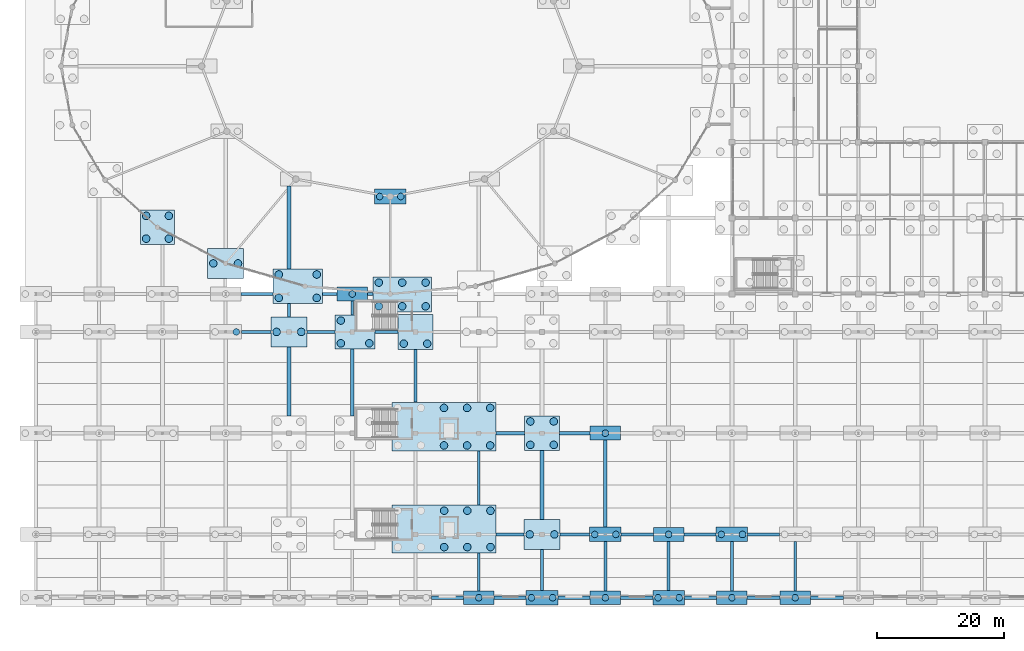
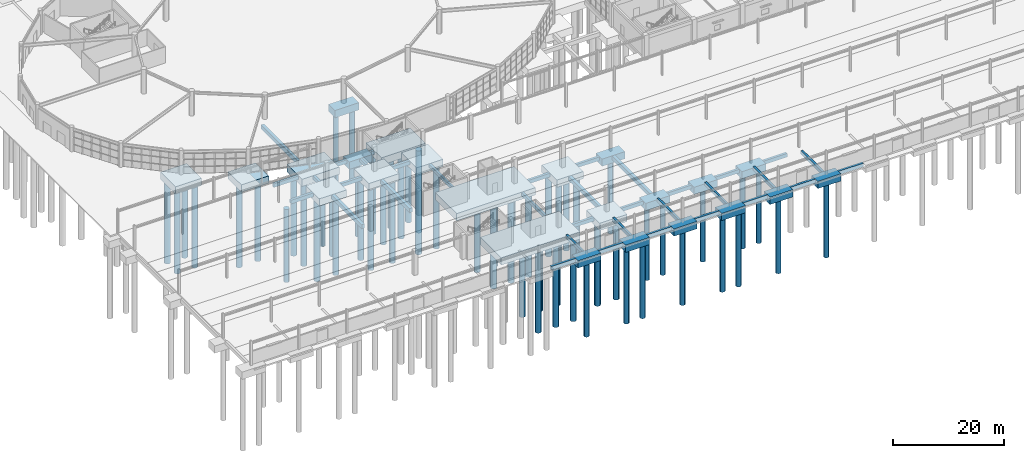
# One storey, part 2 of 99: 59 piles, 58 footings.
"""IFC4 building model written with IfcOpenShell, lengths in metres."""

from ifc_helpers import new_model, si_unit, direction, frame, origin, origin_2d, place, context, subcontext, project, spatial, rectangle, circle, extrude, material, material_profile, profile_set, type_object, element, save


model = new_model("IFC4")

# Units and contexts
model_context = context("Model", 3, precision=1e-05, world=origin(), true_north=direction((0.0, 1.0)))
body_context = subcontext(model_context, "Body", "Model", "MODEL_VIEW")
ifc_project = project(units=[si_unit("LENGTHUNIT", "METRE"), si_unit("AREAUNIT", "SQUARE_METRE"), si_unit("VOLUMEUNIT", "CUBIC_METRE"), si_unit("PLANEANGLEUNIT", "RADIAN"), si_unit("MASSUNIT", "GRAM", prefix="KILO")], contexts=[model_context])

# Site, building, storey
site_placement = place(None, origin())
site = spatial("IfcSite", under=ifc_project, at=site_placement, CompositionType="ELEMENT")
building_placement = place(site_placement, origin())
building = spatial("IfcBuilding", under=site, at=building_placement, Name="Kivolera Central Railway Station", CompositionType="ELEMENT")
storey_placement = place(building_placement, origin())
storey = spatial("IfcBuildingStorey", under=building, at=storey_placement, Name="L00", CompositionType="ELEMENT", Elevation=0.0)

# Footings
ifc_material = material(Name="Concrete C35/45", Category="concrete")
footing_type_1 = type_object("IfcFootingType", Name="FB-450x750", PredefinedType="FOOTING_BEAM", material=ifc_material)
footing_1_placement = place(storey_placement, frame((48.0, 51.43798828125, -1.10009765625), z_axis=(0.0, 0.0, 1.0), x_axis=(1.0, 0.0, 0.0)))
element("IfcFooting", 1, at=footing_1_placement, inside=storey, type_object=footing_type_1, Name="Foundation Tie Beam FDN-FBY-174", PredefinedType="FOOTING_BEAM", context=body_context, shape_type="SweptSolid", body=[
    extrude(rectangle(XDim=0.449951171875, YDim=2.076904296875, at=origin_2d()), origin(), (0.0, 0.0, 1.0), 0.75),
])
footing_2_placement = place(storey_placement, frame((58.0, 51.800048828125, -1.10009765625), z_axis=(0.0, 0.0, 1.0), x_axis=(1.0, 0.0, 0.0)))
element("IfcFooting", 2, at=footing_2_placement, inside=storey, type_object=footing_type_1, Name="Foundation Tie Beam FDN-FBY-181", PredefinedType="FOOTING_BEAM", context=body_context, shape_type="SweptSolid", body=[
    extrude(rectangle(XDim=0.449951171875, YDim=2.199951171875, at=origin_2d()), origin(), (0.0, 0.0, 1.0), 0.75),
])
footing_3_placement = place(storey_placement, frame((68.0, 41.070068359375, -1.110107421875), z_axis=(0.0, 0.0, 1.0), x_axis=(1.0, 0.0, 0.0)))
element("IfcFooting", 3, at=footing_3_placement, inside=storey, type_object=footing_type_1, Name="Foundation Tie Beam FDN-FBY-185", PredefinedType="FOOTING_BEAM", context=body_context, shape_type="SweptSolid", body=[
    extrude(rectangle(XDim=0.449951171875, YDim=8.361083984375, at=origin_2d()), origin(), (0.0, 0.0, 1.0), 0.75),
])
footing_4_placement = place(storey_placement, frame((78.0, 10.09912109375, -0.75), z_axis=(0.0, 0.0, 1.0), x_axis=(1.0, 0.0, 0.0)))
element("IfcFooting", 4, at=footing_4_placement, inside=storey, type_object=footing_type_1, Name="Foundation Tie Beam FDN-FBY-187", PredefinedType="FOOTING_BEAM", context=body_context, shape_type="SweptSolid", body=[
    extrude(rectangle(XDim=0.449951171875, YDim=5.9990234375, at=origin_2d()), origin(), (0.0, 0.0, 1.0), 0.75),
])
footing_5_placement = place(storey_placement, frame((78.0, 24.906005859375, -1.110107421875), z_axis=(0.0, 0.0, 1.0), x_axis=(1.0, 0.0, 0.0)))
element("IfcFooting", 5, at=footing_5_placement, inside=storey, type_object=footing_type_1, Name="Foundation Tie Beam FDN-FBY-188", PredefinedType="FOOTING_BEAM", context=body_context, shape_type="SweptSolid", body=[
    extrude(rectangle(XDim=0.449951171875, YDim=8.510009765625, at=origin_2d()), origin(), (0.0, 0.0, 1.0), 0.75),
])
footing_6_placement = place(storey_placement, frame((88.0, 10.375, -0.75), z_axis=(0.0, 0.0, 1.0), x_axis=(1.0, 0.0, 0.0)))
element("IfcFooting", 6, at=footing_6_placement, inside=storey, type_object=footing_type_1, Name="Foundation Tie Beam FDN-FBY-195", PredefinedType="FOOTING_BEAM", context=body_context, shape_type="SweptSolid", body=[
    extrude(rectangle(XDim=0.449951171875, YDim=6.449951171875, at=origin_2d()), origin(), (0.0, 0.0, 1.0), 0.75),
])
for number, where, z_axis, x_axis, name in (
    (7, (98.0, 10.97509765625, -0.75), (0.0, 0.0, 1.0), (1.0, 0.0, 0.0), "Foundation Tie Beam FDN-FBY-205"),
    (8, (108.0, 11.02490234375, -0.75), (0.0, 0.0, 1.0), (1.0, 0.0, 0.0), "Foundation Tie Beam FDN-FBY-210"),
    (9, (118.0, 10.97509765625, -0.75), (0.0, 0.0, 1.0), (1.0, 0.0, 0.0), "Foundation Tie Beam FDN-FBY-215"),
    (10, (128.0, 10.97509765625, -0.75), (0.0, 0.0, 1.0), (1.0, 0.0, 0.0), "Foundation Tie Beam FDN-FBY-225"),
):
    element("IfcFooting", number, at=place(storey_placement, frame(where, z_axis=z_axis, x_axis=x_axis)), inside=storey, type_object=footing_type_1, Name=name, PredefinedType="FOOTING_BEAM", context=body_context, shape_type="SweptSolid", body=[
        extrude(rectangle(XDim=0.449951171875, YDim=7.75, at=origin_2d()), origin(), (0.0, 0.0, 1.0), 0.75),
    ])
footing_type_2 = type_object("IfcFootingType", Name="FB-500x800", PredefinedType="FOOTING_BEAM", material=ifc_material)
for number, where, z_axis, x_axis, name in (
    (11, (73.050048828125, 6.0, -0.7998046875), (0.0, 0.0, 1.0), (1.0, 0.0, 0.0), "Foundation Tie Beam FDN-FBX-007"),
    (12, (82.949951171875, 6.0, -0.7998046875), (0.0, 0.0, 1.0), (1.0, 0.0, 0.0), "Foundation Tie Beam FDN-FBX-008"),
    (13, (93.050048828125, 6.0, -0.7998046875), (0.0, 0.0, 1.0), (1.0, 0.0, 0.0), "Foundation Tie Beam FDN-FBX-009"),
    (14, (102.949951171875, 6.0, -0.7998046875), (0.0, 0.0, 1.0), (1.0, 0.0, 0.0), "Foundation Tie Beam FDN-FBX-010"),
    (15, (113.050048828125, 6.0, -0.7998046875), (0.0, 0.0, 1.0), (1.0, 0.0, 0.0), "Foundation Tie Beam FDN-FBX-011"),
):
    element("IfcFooting", number, at=place(storey_placement, frame(where, z_axis=z_axis, x_axis=x_axis)), inside=storey, type_object=footing_type_2, Name=name, PredefinedType="FOOTING_BEAM", context=body_context, shape_type="SweptSolid", body=[
        extrude(rectangle(XDim=5.10009765625, YDim=0.5, at=origin_2d()), origin(), (0.0, 0.0, 1.0), 0.800048828125),
    ])
for number, where, z_axis, x_axis, name in (
    (16, (123.0, 6.0, -0.7998046875), (0.0, 0.0, 1.0), (1.0, 0.0, 0.0), "Foundation Tie Beam FDN-FBX-012"),
    (17, (133.0, 6.0, -0.7998046875), (0.0, 0.0, 1.0), (1.0, 0.0, 0.0), "Foundation Tie Beam FDN-FBX-013"),
):
    element("IfcFooting", number, at=place(storey_placement, frame(where, z_axis=z_axis, x_axis=x_axis)), inside=storey, type_object=footing_type_2, Name=name, PredefinedType="FOOTING_BEAM", context=body_context, shape_type="SweptSolid", body=[
        extrude(rectangle(XDim=5.199951171875, YDim=0.5, at=origin_2d()), origin(), (0.0, 0.0, 1.0), 0.800048828125),
    ])
footing_7_placement = place(storey_placement, frame((82.949951171875, 16.0, -1.16015625), z_axis=(0.0, 0.0, 1.0), x_axis=(1.0, 0.0, 0.0)))
element("IfcFooting", 18, at=footing_7_placement, inside=storey, type_object=footing_type_2, Name="Foundation Tie Beam FDN-FBX-026", PredefinedType="FOOTING_BEAM", context=body_context, shape_type="SweptSolid", body=[
    extrude(rectangle(XDim=4.39990234375, YDim=0.5, at=origin_2d()), origin(), (0.0, 0.0, 1.0), 0.800048828125),
])
footing_8_placement = place(storey_placement, frame((93.175048828125, 16.0, -1.16015625), z_axis=(0.0, 0.0, 1.0), x_axis=(1.0, 0.0, 0.0)))
element("IfcFooting", 19, at=footing_8_placement, inside=storey, type_object=footing_type_2, Name="Foundation Tie Beam FDN-FBX-027", PredefinedType="FOOTING_BEAM", context=body_context, shape_type="SweptSolid", body=[
    extrude(rectangle(XDim=4.64990234375, YDim=0.5, at=origin_2d()), origin(), (0.0, 0.0, 1.0), 0.800048828125),
])
for number, where, z_axis, x_axis, name in (
    (20, (103.050048828125, 16.0, -1.16015625), (0.0, 0.0, 1.0), (1.0, 0.0, 0.0), "Foundation Tie Beam FDN-FBX-028"),
    (21, (112.949951171875, 16.0, -1.16015625), (0.0, 0.0, 1.0), (1.0, 0.0, 0.0), "Foundation Tie Beam FDN-FBX-029"),
):
    element("IfcFooting", number, at=place(storey_placement, frame(where, z_axis=z_axis, x_axis=x_axis)), inside=storey, type_object=footing_type_2, Name=name, PredefinedType="FOOTING_BEAM", context=body_context, shape_type="SweptSolid", body=[
        extrude(rectangle(XDim=5.10009765625, YDim=0.5, at=origin_2d()), origin(), (0.0, 0.0, 1.0), 0.800048828125),
    ])
footing_9_placement = place(storey_placement, frame((123.0, 16.0, -1.16015625), z_axis=(0.0, 0.0, 1.0), x_axis=(1.0, 0.0, 0.0)))
element("IfcFooting", 22, at=footing_9_placement, inside=storey, type_object=footing_type_2, Name="Foundation Tie Beam FDN-FBX-030", PredefinedType="FOOTING_BEAM", context=body_context, shape_type="SweptSolid", body=[
    extrude(rectangle(XDim=5.0, YDim=0.5, at=origin_2d()), origin(), (0.0, 0.0, 1.0), 0.800048828125),
])
footing_10_placement = place(storey_placement, frame((82.97509765625, 32.0, -1.16015625), z_axis=(0.0, 0.0, 1.0), x_axis=(1.0, 0.0, 0.0)))
element("IfcFooting", 23, at=footing_10_placement, inside=storey, type_object=footing_type_2, Name="Foundation Tie Beam FDN-FBX-044", PredefinedType="FOOTING_BEAM", context=body_context, shape_type="SweptSolid", body=[
    extrude(rectangle(XDim=4.550048828125, YDim=0.5, at=origin_2d()), origin(), (0.0, 0.0, 1.0), 0.800048828125),
])
footing_11_placement = place(storey_placement, frame((93.175048828125, 32.0, -1.16015625), z_axis=(0.0, 0.0, 1.0), x_axis=(1.0, 0.0, 0.0)))
element("IfcFooting", 24, at=footing_11_placement, inside=storey, type_object=footing_type_2, Name="Foundation Tie Beam FDN-FBX-045", PredefinedType="FOOTING_BEAM", context=body_context, shape_type="SweptSolid", body=[
    extrude(rectangle(XDim=4.85009765625, YDim=0.5, at=origin_2d()), origin(), (0.0, 0.0, 1.0), 0.800048828125),
])
footing_12_placement = place(storey_placement, frame((42.824951171875, 48.0, -1.16015625), z_axis=(0.0, 0.0, 1.0), x_axis=(1.0, 0.0, 0.0)))
element("IfcFooting", 25, at=footing_12_placement, inside=storey, type_object=footing_type_2, Name="Foundation Tie Beam FDN-FBX-059", PredefinedType="FOOTING_BEAM", context=body_context, shape_type="SweptSolid", body=[
    extrude(rectangle(XDim=4.64990234375, YDim=0.5, at=origin_2d()), origin(), (0.0, 0.0, 1.0), 0.800048828125),
])
footing_13_placement = place(storey_placement, frame((53.074951171875, 48.0, -1.16015625), z_axis=(0.0, 0.0, 1.0), x_axis=(1.0, 0.0, 0.0)))
element("IfcFooting", 26, at=footing_13_placement, inside=storey, type_object=footing_type_2, Name="Foundation Tie Beam FDN-FBX-060", PredefinedType="FOOTING_BEAM", context=body_context, shape_type="SweptSolid", body=[
    extrude(rectangle(XDim=4.449951171875, YDim=0.5, at=origin_2d()), origin(), (0.0, 0.0, 1.0), 0.800048828125),
])
footing_14_placement = place(storey_placement, frame((63.425048828125, 48.0, -1.16015625), z_axis=(0.0, 0.0, 1.0), x_axis=(1.0, 0.0, 0.0)))
element("IfcFooting", 27, at=footing_14_placement, inside=storey, type_object=footing_type_2, Name="Foundation Tie Beam FDN-FBX-061", PredefinedType="FOOTING_BEAM", context=body_context, shape_type="SweptSolid", body=[
    extrude(rectangle(XDim=3.64990234375, YDim=0.5, at=origin_2d()), origin(), (0.0, 0.0, 1.0), 0.800048828125),
])
footing_15_placement = place(storey_placement, frame((42.949951171875, 54.0, -1.14990234375), z_axis=(0.0, 0.0, 1.0), x_axis=(1.0, 0.0, 0.0)))
element("IfcFooting", 28, at=footing_15_placement, inside=storey, type_object=footing_type_2, Name="Foundation Tie Beam FDN-FBX-078", PredefinedType="FOOTING_BEAM", context=body_context, shape_type="SweptSolid", body=[
    extrude(rectangle(XDim=5.10009765625, YDim=0.5, at=origin_2d()), origin(), (0.0, 0.0, 1.0), 0.800048828125),
])
footing_16_placement = place(storey_placement, frame((54.445068359375, 54.0, -1.14990234375), z_axis=(0.0, 0.0, 1.0), x_axis=(1.0, 0.0, 0.0)))
element("IfcFooting", 29, at=footing_16_placement, inside=storey, type_object=footing_type_2, Name="Foundation Tie Beam FDN-FBX-079", PredefinedType="FOOTING_BEAM", context=body_context, shape_type="SweptSolid", body=[
    extrude(rectangle(XDim=2.30908203125, YDim=0.5, at=origin_2d()), origin(), (0.0, 0.0, 1.0), 0.800048828125),
])
footing_17_placement = place(storey_placement, frame((60.85009765625, 54.0, -1.14990234375), z_axis=(0.0, 0.0, 1.0), x_axis=(1.0, 0.0, 0.0)))
element("IfcFooting", 30, at=footing_17_placement, inside=storey, type_object=footing_type_2, Name="Foundation Tie Beam FDN-FBX-080", PredefinedType="FOOTING_BEAM", context=body_context, shape_type="SweptSolid", body=[
    extrude(rectangle(XDim=0.89990234375, YDim=0.5, at=origin_2d()), origin(), (0.0, 0.0, 1.0), 0.800048828125),
])
footing_type_3 = type_object("IfcFootingType", Name="FB-600x900", PredefinedType="FOOTING_BEAM", material=ifc_material)
footing_18_placement = place(storey_placement, frame((48.0, 40.14990234375, -1.260009765625), z_axis=(0.0, 0.0, 1.0), x_axis=(1.0, 0.0, 0.0)))
element("IfcFooting", 31, at=footing_18_placement, inside=storey, type_object=footing_type_3, Name="Foundation Tie Beam FDN-FBY-173", PredefinedType="FOOTING_BEAM", context=body_context, shape_type="SweptSolid", body=[
    extrude(rectangle(XDim=0.60009765625, YDim=10.89990234375, at=origin_2d()), origin(), (0.0, 0.0, 1.0), 0.89990234375),
])
footing_19_placement = place(storey_placement, frame((48.0, 64.51904296875, -1.25), z_axis=(0.0, 0.0, 1.0), x_axis=(1.0, 0.0, 0.0)))
element("IfcFooting", 32, at=footing_19_placement, inside=storey, type_object=footing_type_3, Name="Foundation Tie Beam FDN-FBY-175", PredefinedType="FOOTING_BEAM", context=body_context, shape_type="SweptSolid", body=[
    extrude(rectangle(XDim=0.60009765625, YDim=13.0830078125, at=origin_2d()), origin(), (0.0, 0.0, 1.0), 0.89990234375),
])
footing_20_placement = place(storey_placement, frame((58.0, 40.02490234375, -1.260009765625), z_axis=(0.0, 0.0, 1.0), x_axis=(1.0, 0.0, 0.0)))
element("IfcFooting", 33, at=footing_20_placement, inside=storey, type_object=footing_type_3, Name="Foundation Tie Beam FDN-FBY-180", PredefinedType="FOOTING_BEAM", context=body_context, shape_type="SweptSolid", body=[
    extrude(rectangle(XDim=0.60009765625, YDim=10.550048828125, at=origin_2d()), origin(), (0.0, 0.0, 1.0), 0.89990234375),
])
footing_21_placement = place(storey_placement, frame((88.0, 23.824951171875, -1.260009765625), z_axis=(0.0, 0.0, 1.0), x_axis=(1.0, 0.0, 0.0)))
element("IfcFooting", 34, at=footing_21_placement, inside=storey, type_object=footing_type_3, Name="Foundation Tie Beam FDN-FBY-196", PredefinedType="FOOTING_BEAM", context=body_context, shape_type="SweptSolid", body=[
    extrude(rectangle(XDim=0.60009765625, YDim=10.85009765625, at=origin_2d()), origin(), (0.0, 0.0, 1.0), 0.89990234375),
])
footing_22_placement = place(storey_placement, frame((98.0, 24.02490234375, -1.260009765625), z_axis=(0.0, 0.0, 1.0), x_axis=(1.0, 0.0, 0.0)))
element("IfcFooting", 35, at=footing_22_placement, inside=storey, type_object=footing_type_3, Name="Foundation Tie Beam FDN-FBY-206", PredefinedType="FOOTING_BEAM", context=body_context, shape_type="SweptSolid", body=[
    extrude(rectangle(XDim=0.60009765625, YDim=13.75, at=origin_2d()), origin(), (0.0, 0.0, 1.0), 0.89990234375),
])
footing_type_4 = type_object("IfcFootingType", Name="PC-16400x7728", PredefinedType="PILE_CAP", material=ifc_material)
footing_23_placement = place(storey_placement, frame((72.5, 33.02490234375, -1.9599609375), z_axis=(0.0, 0.0, 1.0), x_axis=(1.0, 0.0, 0.0)))
element("IfcFooting", 36, at=footing_23_placement, inside=storey, type_object=footing_type_4, Name="Pile Cap FDN-PC-077", PredefinedType="PILE_CAP", context=body_context, shape_type="SweptSolid", body=[
    extrude(rectangle(XDim=16.39990234375, YDim=7.72802734375, at=origin_2d()), origin(), (0.0, 0.0, 1.0), 1.60009765625),
])
footing_type_5 = type_object("IfcFootingType", Name="PC-16450x7552", PredefinedType="PILE_CAP", material=ifc_material)
footing_24_placement = place(storey_placement, frame((72.52490234375, 16.875, -1.9599609375), z_axis=(0.0, 0.0, 1.0), x_axis=(1.0, 0.0, 0.0)))
element("IfcFooting", 37, at=footing_24_placement, inside=storey, type_object=footing_type_5, Name="Pile Cap FDN-PC-079", PredefinedType="PILE_CAP", context=body_context, shape_type="SweptSolid", body=[
    extrude(rectangle(XDim=16.449951171875, YDim=7.552001953125, at=origin_2d()), origin(), (0.0, 0.0, 1.0), 1.60009765625),
])
footing_type_6 = type_object("IfcFootingType", Name="PC-4800x2200", PredefinedType="PILE_CAP", material=ifc_material)
for number, where, z_axis, x_axis, name in (
    (38, (58.0, 54.0, -1.949951171875), (0.0, 0.0, 1.0), (1.0, 0.0, 0.0), "Pile Cap FDN-PC-108"),
    (39, (78.0, 6.0, -1.60009765625), (0.0, 0.0, 1.0), (1.0, 0.0, 0.0), "Pile Cap FDN-PC-111"),
    (40, (98.0, 6.0, -1.60009765625), (0.0, 0.0, 1.0), (1.0, 0.0, 0.0), "Pile Cap FDN-PC-119"),
    (41, (98.0, 32.0, -1.9599609375), (0.0, 0.0, 1.0), (1.0, 0.0, 0.0), "Pile Cap FDN-PC-121"),
    (42, (108.0, 16.0, -1.9599609375), (0.0, 0.0, 1.0), (1.0, 0.0, 0.0), "Pile Cap FDN-PC-125"),
    (43, (118.0, 6.0, -1.60009765625), (0.0, 0.0, 1.0), (1.0, 0.0, 0.0), "Pile Cap FDN-PC-129"),
    (44, (128.0, 6.0, -1.60009765625), (0.0, 0.0, 1.0), (1.0, 0.0, 0.0), "Pile Cap FDN-PC-133"),
):
    element("IfcFooting", number, at=place(storey_placement, frame(where, z_axis=z_axis, x_axis=x_axis)), inside=storey, type_object=footing_type_6, Name=name, PredefinedType="PILE_CAP", context=body_context, shape_type="SweptSolid", body=[
        extrude(rectangle(XDim=4.800048828125, YDim=2.199951171875, at=origin_2d()), origin(), (0.0, 0.0, 1.0), 1.60009765625),
    ])
footing_type_7 = type_object("IfcFootingType", Name="PC-5000x2300", PredefinedType="PILE_CAP", material=ifc_material)
for number, where, z_axis, x_axis, name in (
    (45, (88.0, 6.0, -1.60009765625), (0.0, 0.0, 1.0), (1.0, 0.0, 0.0), "Pile Cap FDN-PC-114"),
    (46, (98.0, 16.0, -1.9599609375), (0.0, 0.0, 1.0), (1.0, 0.0, 0.0), "Pile Cap FDN-PC-120"),
    (47, (108.0, 6.0, -1.60009765625), (0.0, 0.0, 1.0), (1.0, 0.0, 0.0), "Pile Cap FDN-PC-124"),
    (48, (118.0, 16.0, -1.9599609375), (0.0, 0.0, 1.0), (1.0, 0.0, 0.0), "Pile Cap FDN-PC-130"),
    (49, (64.0, 69.39990234375, -1.949951171875), (0.0, 0.0, 1.0), (1.0, 0.0, 0.0), "Pile Cap FDN-PC-192"),
):
    element("IfcFooting", number, at=place(storey_placement, frame(where, z_axis=z_axis, x_axis=x_axis)), inside=storey, type_object=footing_type_7, Name=name, PredefinedType="PILE_CAP", context=body_context, shape_type="SweptSolid", body=[
        extrude(rectangle(XDim=5.0, YDim=2.300048828125, at=origin_2d()), origin(), (0.0, 0.0, 1.0), 1.60009765625),
    ])
footing_type_8 = type_object("IfcFootingType", Name="PC-5400x5400", PredefinedType="PILE_CAP", material=ifc_material)
footing_25_placement = place(storey_placement, frame((27.22998046875, 64.5439453125, -1.949951171875), z_axis=(0.0, 0.0, 1.0), x_axis=(1.0, 0.0, 0.0)))
element("IfcFooting", 50, at=footing_25_placement, inside=storey, type_object=footing_type_8, Name="Pile Cap FDN-PC-178", PredefinedType="PILE_CAP", context=body_context, shape_type="SweptSolid", body=[
    extrude(rectangle(XDim=5.39990234375, YDim=5.39990234375, at=origin_2d()), origin(), (0.0, 0.0, 1.0), 1.60009765625),
])
footing_type_9 = type_object("IfcFootingType", Name="PC-5500x5500", PredefinedType="PILE_CAP", material=ifc_material)
for number, where, z_axis, x_axis, name in (
    (51, (68.0, 48.0, -1.9599609375), (0.0, 0.0, 1.0), (1.0, 0.0, 0.0), "Pile Cap FDN-PC-110"),
    (52, (88.0, 32.0, -1.9599609375), (0.0, 0.0, 1.0), (1.0, 0.0, 0.0), "Pile Cap FDN-PC-116"),
):
    element("IfcFooting", number, at=place(storey_placement, frame(where, z_axis=z_axis, x_axis=x_axis)), inside=storey, type_object=footing_type_9, Name=name, PredefinedType="PILE_CAP", context=body_context, shape_type="SweptSolid", body=[
        extrude(rectangle(XDim=5.5, YDim=5.5, at=origin_2d()), origin(), (0.0, 0.0, 1.0), 1.60009765625),
    ])
footing_type_10 = type_object("IfcFootingType", Name="PC-5700x4800", PredefinedType="PILE_CAP", material=ifc_material)
for number, where, z_axis, x_axis, name in (
    (53, (48.0, 48.0, -1.9599609375), (0.0, 0.0, 1.0), (1.0, 0.0, 0.0), "Pile Cap FDN-PC-105"),
    (54, (88.0, 16.0, -1.9599609375), (0.0, 0.0, 1.0), (1.0, 0.0, 0.0), "Pile Cap FDN-PC-115"),
    (55, (38.0, 58.822998046875, -1.949951171875), (0.0, 0.0, 1.0), (1.0, 0.0, 0.0), "Pile Cap FDN-PC-179"),
):
    element("IfcFooting", number, at=place(storey_placement, frame(where, z_axis=z_axis, x_axis=x_axis)), inside=storey, type_object=footing_type_10, Name=name, PredefinedType="PILE_CAP", context=body_context, shape_type="SweptSolid", body=[
        extrude(rectangle(XDim=5.699951171875, YDim=4.800048828125, at=origin_2d()), origin(), (0.0, 0.0, 1.0), 1.60009765625),
    ])
footing_type_11 = type_object("IfcFootingType", Name="PC-6300x5400", PredefinedType="PILE_CAP", material=ifc_material)
footing_26_placement = place(storey_placement, frame((58.449951171875, 48.0, -1.9599609375), z_axis=(0.0, 0.0, 1.0), x_axis=(1.0, 0.0, 0.0)))
element("IfcFooting", 56, at=footing_26_placement, inside=storey, type_object=footing_type_11, Name="Pile Cap FDN-PC-076", PredefinedType="PILE_CAP", context=body_context, shape_type="SweptSolid", body=[
    extrude(rectangle(XDim=6.300048828125, YDim=5.39990234375, at=origin_2d()), origin(), (0.0, 0.0, 1.0), 1.60009765625),
])
footing_type_12 = type_object("IfcFootingType", Name="PC-7791x5500", PredefinedType="PILE_CAP", material=ifc_material)
footing_27_placement = place(storey_placement, frame((49.39501953125, 55.22705078125, -1.949951171875), z_axis=(0.0, 0.0, 1.0), x_axis=(1.0, 0.0, 0.0)))
element("IfcFooting", 57, at=footing_27_placement, inside=storey, type_object=footing_type_12, Name="Pile Cap FDN-PC-106", PredefinedType="PILE_CAP", context=body_context, shape_type="SweptSolid", body=[
    extrude(rectangle(XDim=7.791015625, YDim=5.5, at=origin_2d()), origin(), (0.0, 0.0, 1.0), 1.60009765625),
])
footing_type_13 = type_object("IfcFootingType", Name="PC-9200x5550", PredefinedType="PILE_CAP", material=ifc_material)
footing_28_placement = place(storey_placement, frame((65.89990234375, 53.925048828125, -1.949951171875), z_axis=(0.0, 0.0, 1.0), x_axis=(1.0, 0.0, 0.0)))
element("IfcFooting", 58, at=footing_28_placement, inside=storey, type_object=footing_type_13, Name="Pile Cap FDN-PC-075", PredefinedType="PILE_CAP", context=body_context, shape_type="SweptSolid", body=[
    extrude(rectangle(XDim=9.199951171875, YDim=5.550048828125, at=origin_2d()), origin(), (0.0, 0.0, 1.0), 1.60009765625),
])

# Piles
ifc_material_profile_1 = material_profile(ifc_material, circle(Radius=0.52490234375, at=origin_2d()), Name="PILE D1050")
ifc_profile_set_1 = profile_set([ifc_material_profile_1], Name="Concrete C35/45")
pile_type_1 = type_object("IfcPileType", Name="PILE-1050", PredefinedType="BORED", material=ifc_profile_set_1)
pile_1_placement = place(storey_placement, frame((39.675048828125, 48.0, -1.860107421875), z_axis=(0.0, 0.0, -1.0), x_axis=(1.0, 0.0, 0.0)))
element("IfcPile", 59, at=pile_1_placement, inside=storey, type_object=pile_type_1, Name="Bored Pile FDN-PC-100-P02", PredefinedType="BORED", context=body_context, shape_type="SweptSolid", body=[
    extrude(circle(Radius=0.52490234375, at=origin_2d()), origin(), (0.0, 0.0, 1.0), 16.139892578125),
])
pile_2_placement = place(storey_placement, frame((58.0, 54.0, -1.85009765625), z_axis=(0.0, 0.0, -1.0), x_axis=(1.0, 0.0, 0.0)))
element("IfcPile", 60, at=pile_2_placement, inside=storey, type_object=pile_type_1, Name="Bored Pile FDN-PC-108-P01", PredefinedType="BORED", context=body_context, shape_type="SweptSolid", body=[
    extrude(circle(Radius=0.52490234375, at=origin_2d()), origin(), (0.0, 0.0, 1.0), 16.14990234375),
])
for number, where, z_axis, x_axis, name in (
    (61, (78.0, 6.0, -1.5), (0.0, 0.0, -1.0), (1.0, 0.0, 0.0), "Bored Pile FDN-PC-111-P01"),
    (62, (86.324951171875, 6.0, -1.5), (0.0, 0.0, -1.0), (1.0, 0.0, 0.0), "Bored Pile FDN-PC-114-P01"),
    (63, (89.675048828125, 6.0, -1.5), (0.0, 0.0, -1.0), (1.0, 0.0, 0.0), "Bored Pile FDN-PC-114-P02"),
    (64, (98.0, 6.0, -1.5), (0.0, 0.0, -1.0), (1.0, 0.0, 0.0), "Bored Pile FDN-PC-119-P01"),
):
    element("IfcPile", number, at=place(storey_placement, frame(where, z_axis=z_axis, x_axis=x_axis)), inside=storey, type_object=pile_type_1, Name=name, PredefinedType="BORED", context=body_context, shape_type="SweptSolid", body=[
        extrude(circle(Radius=0.52490234375, at=origin_2d()), origin(), (0.0, 0.0, 1.0), 16.5),
    ])
for number, where, z_axis, x_axis, name in (
    (65, (96.324951171875, 16.0, -1.860107421875), (0.0, 0.0, -1.0), (1.0, 0.0, 0.0), "Bored Pile FDN-PC-120-P01"),
    (66, (99.675048828125, 16.0, -1.860107421875), (0.0, 0.0, -1.0), (1.0, 0.0, 0.0), "Bored Pile FDN-PC-120-P02"),
    (67, (98.0, 32.0, -1.860107421875), (0.0, 0.0, -1.0), (1.0, 0.0, 0.0), "Bored Pile FDN-PC-121-P01"),
):
    element("IfcPile", number, at=place(storey_placement, frame(where, z_axis=z_axis, x_axis=x_axis)), inside=storey, type_object=pile_type_1, Name=name, PredefinedType="BORED", context=body_context, shape_type="SweptSolid", body=[
        extrude(circle(Radius=0.52490234375, at=origin_2d()), origin(), (0.0, 0.0, 1.0), 16.139892578125),
    ])
for number, where, z_axis, x_axis, name in (
    (68, (106.324951171875, 6.0, -1.5), (0.0, 0.0, -1.0), (1.0, 0.0, 0.0), "Bored Pile FDN-PC-124-P01"),
    (69, (109.675048828125, 6.0, -1.5), (0.0, 0.0, -1.0), (1.0, 0.0, 0.0), "Bored Pile FDN-PC-124-P02"),
):
    element("IfcPile", number, at=place(storey_placement, frame(where, z_axis=z_axis, x_axis=x_axis)), inside=storey, type_object=pile_type_1, Name=name, PredefinedType="BORED", context=body_context, shape_type="SweptSolid", body=[
        extrude(circle(Radius=0.52490234375, at=origin_2d()), origin(), (0.0, 0.0, 1.0), 16.5),
    ])
pile_3_placement = place(storey_placement, frame((108.0, 16.0, -1.860107421875), z_axis=(0.0, 0.0, -1.0), x_axis=(1.0, 0.0, 0.0)))
element("IfcPile", 70, at=pile_3_placement, inside=storey, type_object=pile_type_1, Name="Bored Pile FDN-PC-125-P01", PredefinedType="BORED", context=body_context, shape_type="SweptSolid", body=[
    extrude(circle(Radius=0.52490234375, at=origin_2d()), origin(), (0.0, 0.0, 1.0), 16.139892578125),
])
pile_4_placement = place(storey_placement, frame((118.0, 6.0, -1.5), z_axis=(0.0, 0.0, -1.0), x_axis=(1.0, 0.0, 0.0)))
element("IfcPile", 71, at=pile_4_placement, inside=storey, type_object=pile_type_1, Name="Bored Pile FDN-PC-129-P01", PredefinedType="BORED", context=body_context, shape_type="SweptSolid", body=[
    extrude(circle(Radius=0.52490234375, at=origin_2d()), origin(), (0.0, 0.0, 1.0), 16.5),
])
for number, where, z_axis, x_axis, name in (
    (72, (116.324951171875, 16.0, -1.860107421875), (0.0, 0.0, -1.0), (1.0, 0.0, 0.0), "Bored Pile FDN-PC-130-P01"),
    (73, (119.675048828125, 16.0, -1.860107421875), (0.0, 0.0, -1.0), (1.0, 0.0, 0.0), "Bored Pile FDN-PC-130-P02"),
):
    element("IfcPile", number, at=place(storey_placement, frame(where, z_axis=z_axis, x_axis=x_axis)), inside=storey, type_object=pile_type_1, Name=name, PredefinedType="BORED", context=body_context, shape_type="SweptSolid", body=[
        extrude(circle(Radius=0.52490234375, at=origin_2d()), origin(), (0.0, 0.0, 1.0), 16.139892578125),
    ])
pile_5_placement = place(storey_placement, frame((128.0, 6.0, -1.5), z_axis=(0.0, 0.0, -1.0), x_axis=(1.0, 0.0, 0.0)))
element("IfcPile", 74, at=pile_5_placement, inside=storey, type_object=pile_type_1, Name="Bored Pile FDN-PC-133-P01", PredefinedType="BORED", context=body_context, shape_type="SweptSolid", body=[
    extrude(circle(Radius=0.52490234375, at=origin_2d()), origin(), (0.0, 0.0, 1.0), 16.5),
])
for number, where, z_axis, x_axis, name in (
    (75, (62.324951171875, 69.39990234375, -1.85009765625), (0.0, 0.0, -1.0), (1.0, 0.0, 0.0), "Bored Pile FDN-PC-192-P01"),
    (76, (65.675048828125, 69.39990234375, -1.85009765625), (0.0, 0.0, -1.0), (1.0, 0.0, 0.0), "Bored Pile FDN-PC-192-P02"),
):
    element("IfcPile", number, at=place(storey_placement, frame(where, z_axis=z_axis, x_axis=x_axis)), inside=storey, type_object=pile_type_1, Name=name, PredefinedType="BORED", context=body_context, shape_type="SweptSolid", body=[
        extrude(circle(Radius=0.52490234375, at=origin_2d()), origin(), (0.0, 0.0, 1.0), 16.14990234375),
    ])
ifc_material_profile_2 = material_profile(ifc_material, circle(Radius=0.60009765625, at=origin_2d()), Name="PILE D1200")
ifc_profile_set_2 = profile_set([ifc_material_profile_2], Name="Concrete C35/45")
pile_type_2 = type_object("IfcPileType", Name="PILE-1200", PredefinedType="BORED", material=ifc_profile_set_2)
for number, where, z_axis, x_axis, name in (
    (77, (62.199951171875, 52.050048828125, -1.85009765625), (0.0, 0.0, -1.0), (1.0, 0.0, 0.0), "Bored Pile FDN-PC-075-P01"),
    (78, (62.199951171875, 55.800048828125, -1.85009765625), (0.0, 0.0, -1.0), (1.0, 0.0, 0.0), "Bored Pile FDN-PC-075-P02"),
    (79, (65.89990234375, 52.050048828125, -1.85009765625), (0.0, 0.0, -1.0), (1.0, 0.0, 0.0), "Bored Pile FDN-PC-075-P03"),
    (80, (65.89990234375, 55.800048828125, -1.85009765625), (0.0, 0.0, -1.0), (1.0, 0.0, 0.0), "Bored Pile FDN-PC-075-P04"),
    (81, (69.60009765625, 52.050048828125, -1.85009765625), (0.0, 0.0, -1.0), (1.0, 0.0, 0.0), "Bored Pile FDN-PC-075-P05"),
    (82, (69.60009765625, 55.800048828125, -1.85009765625), (0.0, 0.0, -1.0), (1.0, 0.0, 0.0), "Bored Pile FDN-PC-075-P06"),
):
    element("IfcPile", number, at=place(storey_placement, frame(where, z_axis=z_axis, x_axis=x_axis)), inside=storey, type_object=pile_type_2, Name=name, PredefinedType="BORED", context=body_context, shape_type="SweptSolid", body=[
        extrude(circle(Radius=0.60009765625, at=origin_2d()), origin(), (0.0, 0.0, 1.0), 18.14990234375),
    ])
for number, where, z_axis, x_axis, name in (
    (83, (56.199951171875, 46.199951171875, -1.860107421875), (0.0, 0.0, -1.0), (1.0, 0.0, 0.0), "Bored Pile FDN-PC-076-P01"),
    (84, (56.199951171875, 49.800048828125, -1.860107421875), (0.0, 0.0, -1.0), (1.0, 0.0, 0.0), "Bored Pile FDN-PC-076-P02"),
    (85, (60.699951171875, 46.199951171875, -1.860107421875), (0.0, 0.0, -1.0), (1.0, 0.0, 0.0), "Bored Pile FDN-PC-076-P03"),
    (86, (72.5, 30.06103515625, -1.860107421875), (0.0, 0.0, -1.0), (1.0, 0.0, 0.0), "Bored Pile FDN-PC-077-P05"),
    (87, (72.5, 35.989013671875, -1.860107421875), (0.0, 0.0, -1.0), (1.0, 0.0, 0.0), "Bored Pile FDN-PC-077-P06"),
    (88, (76.14990234375, 30.06103515625, -1.860107421875), (0.0, 0.0, -1.0), (1.0, 0.0, 0.0), "Bored Pile FDN-PC-077-P07"),
    (89, (76.14990234375, 35.989013671875, -1.860107421875), (0.0, 0.0, -1.0), (1.0, 0.0, 0.0), "Bored Pile FDN-PC-077-P08"),
    (90, (79.800048828125, 30.06103515625, -1.860107421875), (0.0, 0.0, -1.0), (1.0, 0.0, 0.0), "Bored Pile FDN-PC-077-P09"),
    (91, (79.800048828125, 35.989013671875, -1.860107421875), (0.0, 0.0, -1.0), (1.0, 0.0, 0.0), "Bored Pile FDN-PC-077-P10"),
    (92, (72.52490234375, 13.9990234375, -1.860107421875), (0.0, 0.0, -1.0), (1.0, 0.0, 0.0), "Bored Pile FDN-PC-079-P05"),
    (93, (72.52490234375, 19.7509765625, -1.860107421875), (0.0, 0.0, -1.0), (1.0, 0.0, 0.0), "Bored Pile FDN-PC-079-P06"),
    (94, (76.18798828125, 13.9990234375, -1.860107421875), (0.0, 0.0, -1.0), (1.0, 0.0, 0.0), "Bored Pile FDN-PC-079-P07"),
    (95, (76.18798828125, 19.7509765625, -1.860107421875), (0.0, 0.0, -1.0), (1.0, 0.0, 0.0), "Bored Pile FDN-PC-079-P08"),
    (96, (79.85009765625, 13.9990234375, -1.860107421875), (0.0, 0.0, -1.0), (1.0, 0.0, 0.0), "Bored Pile FDN-PC-079-P09"),
    (97, (79.85009765625, 19.7509765625, -1.860107421875), (0.0, 0.0, -1.0), (1.0, 0.0, 0.0), "Bored Pile FDN-PC-079-P10"),
    (98, (46.050048828125, 48.0, -1.860107421875), (0.0, 0.0, -1.0), (1.0, 0.0, 0.0), "Bored Pile FDN-PC-105-P01"),
    (99, (49.949951171875, 48.0, -1.860107421875), (0.0, 0.0, -1.0), (1.0, 0.0, 0.0), "Bored Pile FDN-PC-105-P02"),
):
    element("IfcPile", number, at=place(storey_placement, frame(where, z_axis=z_axis, x_axis=x_axis)), inside=storey, type_object=pile_type_2, Name=name, PredefinedType="BORED", context=body_context, shape_type="SweptSolid", body=[
        extrude(circle(Radius=0.60009765625, at=origin_2d()), origin(), (0.0, 0.0, 1.0), 18.139892578125),
    ])
for number, where, z_axis, x_axis, name in (
    (100, (46.39990234375, 53.376953125, -1.85009765625), (0.0, 0.0, -1.0), (1.0, 0.0, 0.0), "Bored Pile FDN-PC-106-P01"),
    (101, (46.39990234375, 57.076904296875, -1.85009765625), (0.0, 0.0, -1.0), (1.0, 0.0, 0.0), "Bored Pile FDN-PC-106-P02"),
    (102, (52.39111328125, 53.376953125, -1.85009765625), (0.0, 0.0, -1.0), (1.0, 0.0, 0.0), "Bored Pile FDN-PC-106-P03"),
    (103, (52.39111328125, 57.076904296875, -1.85009765625), (0.0, 0.0, -1.0), (1.0, 0.0, 0.0), "Bored Pile FDN-PC-106-P04"),
):
    element("IfcPile", number, at=place(storey_placement, frame(where, z_axis=z_axis, x_axis=x_axis)), inside=storey, type_object=pile_type_2, Name=name, PredefinedType="BORED", context=body_context, shape_type="SweptSolid", body=[
        extrude(circle(Radius=0.60009765625, at=origin_2d()), origin(), (0.0, 0.0, 1.0), 18.14990234375),
    ])
for number, where, z_axis, x_axis, name in (
    (104, (66.14990234375, 46.14990234375, -1.860107421875), (0.0, 0.0, -1.0), (1.0, 0.0, 0.0), "Bored Pile FDN-PC-110-P01"),
    (105, (69.85009765625, 46.14990234375, -1.860107421875), (0.0, 0.0, -1.0), (1.0, 0.0, 0.0), "Bored Pile FDN-PC-110-P02"),
    (106, (86.050048828125, 16.0, -1.860107421875), (0.0, 0.0, -1.0), (1.0, 0.0, 0.0), "Bored Pile FDN-PC-115-P01"),
    (107, (89.949951171875, 16.0, -1.860107421875), (0.0, 0.0, -1.0), (1.0, 0.0, 0.0), "Bored Pile FDN-PC-115-P02"),
    (108, (86.14990234375, 30.14990234375, -1.860107421875), (0.0, 0.0, -1.0), (1.0, 0.0, 0.0), "Bored Pile FDN-PC-116-P01"),
    (109, (86.14990234375, 33.85009765625, -1.860107421875), (0.0, 0.0, -1.0), (1.0, 0.0, 0.0), "Bored Pile FDN-PC-116-P02"),
    (110, (89.85009765625, 30.14990234375, -1.860107421875), (0.0, 0.0, -1.0), (1.0, 0.0, 0.0), "Bored Pile FDN-PC-116-P03"),
    (111, (89.85009765625, 33.85009765625, -1.860107421875), (0.0, 0.0, -1.0), (1.0, 0.0, 0.0), "Bored Pile FDN-PC-116-P04"),
):
    element("IfcPile", number, at=place(storey_placement, frame(where, z_axis=z_axis, x_axis=x_axis)), inside=storey, type_object=pile_type_2, Name=name, PredefinedType="BORED", context=body_context, shape_type="SweptSolid", body=[
        extrude(circle(Radius=0.60009765625, at=origin_2d()), origin(), (0.0, 0.0, 1.0), 18.139892578125),
    ])
for number, where, z_axis, x_axis, name in (
    (112, (25.429931640625, 62.743896484375, -1.85009765625), (0.0, 0.0, -1.0), (1.0, 0.0, 0.0), "Bored Pile FDN-PC-178-P01"),
    (113, (25.429931640625, 66.343994140625, -1.85009765625), (0.0, 0.0, -1.0), (1.0, 0.0, 0.0), "Bored Pile FDN-PC-178-P02"),
    (114, (29.030029296875, 62.743896484375, -1.85009765625), (0.0, 0.0, -1.0), (1.0, 0.0, 0.0), "Bored Pile FDN-PC-178-P03"),
    (115, (29.030029296875, 66.343994140625, -1.85009765625), (0.0, 0.0, -1.0), (1.0, 0.0, 0.0), "Bored Pile FDN-PC-178-P04"),
    (116, (36.050048828125, 58.822998046875, -1.85009765625), (0.0, 0.0, -1.0), (1.0, 0.0, 0.0), "Bored Pile FDN-PC-179-P01"),
    (117, (39.949951171875, 58.822998046875, -1.85009765625), (0.0, 0.0, -1.0), (1.0, 0.0, 0.0), "Bored Pile FDN-PC-179-P02"),
):
    element("IfcPile", number, at=place(storey_placement, frame(where, z_axis=z_axis, x_axis=x_axis)), inside=storey, type_object=pile_type_2, Name=name, PredefinedType="BORED", context=body_context, shape_type="SweptSolid", body=[
        extrude(circle(Radius=0.60009765625, at=origin_2d()), origin(), (0.0, 0.0, 1.0), 18.14990234375),
    ])

save(model, "model.ifc")
